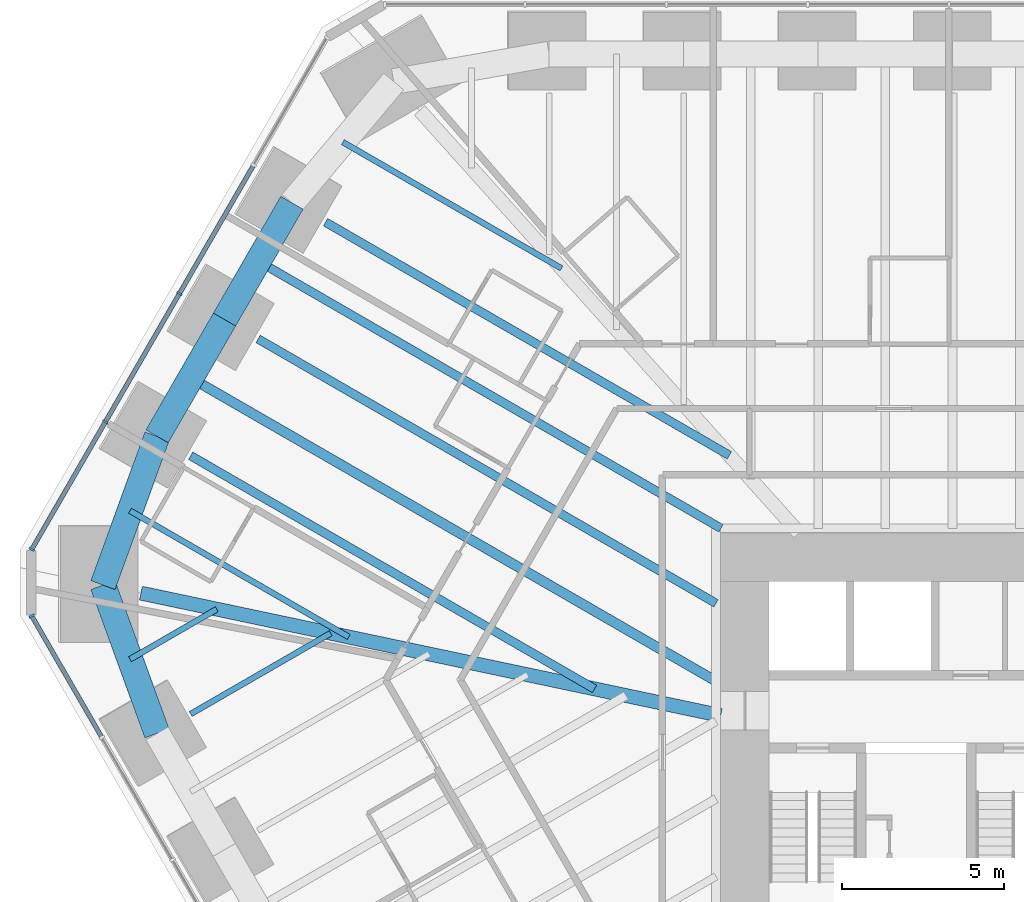
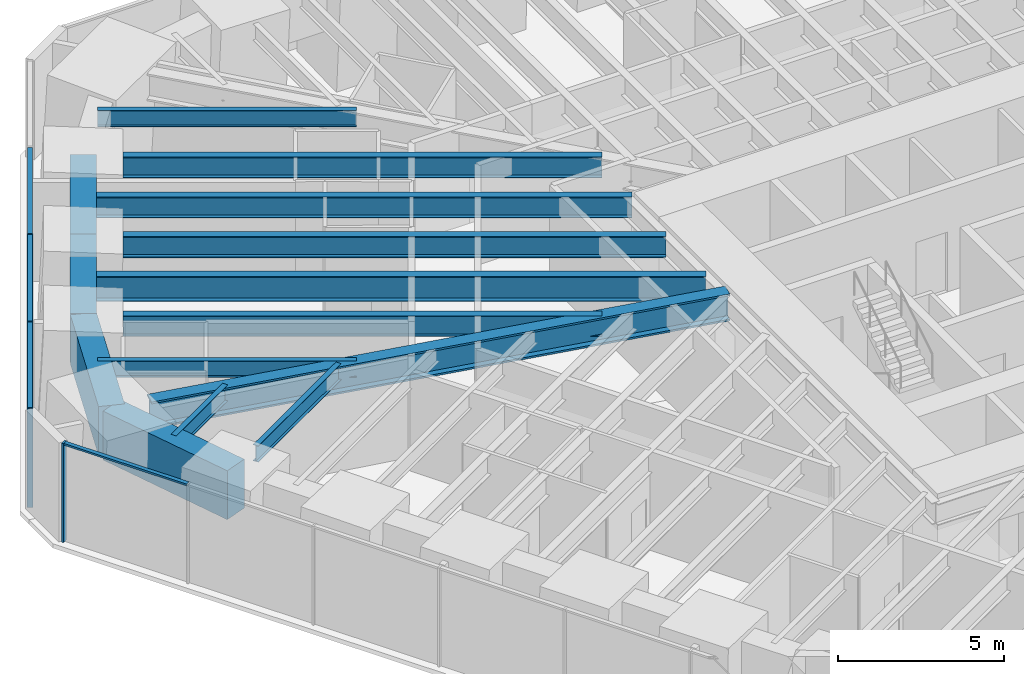
# One storey, part 7 of 17: 14 beams, 8 members, 2 elements without a shape of their own.
"""IFC4 building model written with IfcOpenShell, lengths in metres."""

from ifc_helpers import new_model, si_unit, direction, frame, origin, origin_2d, place, context, subcontext, project, spatial, rectangle, i_section, extrude, material, material_profile, profile_set, type_object, element, aggregate, save


model = new_model("IFC4")

# Units and contexts
model_context = context("Model", 3, precision=1e-05, world=origin(), true_north=direction((0.0, 1.0)))
body_context = subcontext(model_context, "Body", "Model", "MODEL_VIEW")
ifc_project = project(units=[si_unit("LENGTHUNIT", "METRE"), si_unit("AREAUNIT", "SQUARE_METRE"), si_unit("VOLUMEUNIT", "CUBIC_METRE"), si_unit("PLANEANGLEUNIT", "RADIAN"), si_unit("MASSUNIT", "GRAM", prefix="KILO")], contexts=[model_context])

# Site, building, storey
site_placement = place(None, origin())
site = spatial("IfcSite", under=ifc_project, at=site_placement, CompositionType="ELEMENT")
building_placement = place(site_placement, origin())
building = spatial("IfcBuilding", under=site, at=building_placement, Name="Sandreach Pilgrim Tower", CompositionType="ELEMENT")
storey_placement = place(building_placement, frame((0.0, 0.0, 61.0)))
storey = spatial("IfcBuildingStorey", under=building, at=storey_placement, Name="L14", CompositionType="ELEMENT", Elevation=61.0)

# Curtain wall, member
ifc_material_1 = material(Name="Aluminium framed curtain wall", Category="aluminium")
curtain_wall_type = type_object("IfcCurtainWallType", Name="Hostel tower curtain wall", PredefinedType="NOTDEFINED", material=ifc_material_1)
curtain_wall_1_placement = place(storey_placement, origin())
curtain_wall_1 = element("IfcCurtainWall", 1, at=curtain_wall_1_placement, inside=storey, type_object=curtain_wall_type, Name="CW-1 L14 SW", PredefinedType="NOTDEFINED")
ifc_material_2 = material(Name="Aluminium extrusion", Category="aluminium")
ifc_material_profile_1 = material_profile(ifc_material_2, rectangle(XDim=0.06494140625, YDim=0.179931640625, at=origin_2d()), Name="CW-1M 65X180")
ifc_profile_set_1 = profile_set([ifc_material_profile_1], Name="Aluminium extrusion")
member_type_1 = type_object("IfcMemberType", Name="CW-1 mullion", PredefinedType="MULLION", material=ifc_profile_set_1)
member_1_placement = place(storey_placement, frame((-30.56005859375, 5.033935546875, 0.0), z_axis=(0.0, 0.0, 1.0), x_axis=(-0.5, 0.866025403784, 0.0)))
member_1 = element("IfcMember", 2, at=member_1_placement, type_object=member_type_1, Name="CW-1 mullion 10", PredefinedType="MULLION", context=body_context, shape_type="SweptSolid", body=[
    extrude(rectangle(XDim=0.06494140625, YDim=0.179931640625, at=origin_2d()), origin(), (0.0, 0.0, 1.0), 3.639892578125),
])

# Curtain wall, members
curtain_wall_2_placement = place(storey_placement, origin())
curtain_wall_2 = element("IfcCurtainWall", 3, at=curtain_wall_2_placement, inside=storey, type_object=curtain_wall_type, Name="CW-1 L14 NW", PredefinedType="NOTDEFINED")
member_2_placement = place(storey_placement, frame((-30.56005859375, 7.09033203125, 0.0), z_axis=(0.0, 0.0, 1.0), x_axis=(0.5, 0.866025403784, 0.0)))
member_2 = element("IfcMember", 4, at=member_2_placement, type_object=member_type_1, Name="CW-1 mullion 1", PredefinedType="MULLION", context=body_context, shape_type="SweptSolid", body=[
    extrude(rectangle(XDim=0.06494140625, YDim=0.179931640625, at=origin_2d()), origin(), (0.0, 0.0, 1.0), 3.639892578125),
])
member_3_placement = place(storey_placement, frame((-28.283203125, 11.03369140625, 0.0), z_axis=(0.0, 0.0, 1.0), x_axis=(0.5, 0.866025403784, 0.0)))
member_3 = element("IfcMember", 5, at=member_3_placement, type_object=member_type_1, Name="CW-1 mullion 2", PredefinedType="MULLION", context=body_context, shape_type="SweptSolid", body=[
    extrude(rectangle(XDim=0.06494140625, YDim=0.179931640625, at=origin_2d()), origin(), (0.0, 0.0, 1.0), 3.639892578125),
])
member_4_placement = place(storey_placement, frame((-25.990234375, 15.00537109375, 0.0), z_axis=(0.0, 0.0, 1.0), x_axis=(0.5, 0.866025403784, 0.0)))
member_4 = element("IfcMember", 6, at=member_4_placement, type_object=member_type_1, Name="CW-1 mullion 3", PredefinedType="MULLION", context=body_context, shape_type="SweptSolid", body=[
    extrude(rectangle(XDim=0.06494140625, YDim=0.179931640625, at=origin_2d()), origin(), (0.0, 0.0, 1.0), 3.639892578125),
])

# Member
ifc_material_3 = material(Name="Aluminium extrusion", Category="aluminium")
ifc_material_profile_2 = material_profile(ifc_material_3, rectangle(XDim=0.139892578125, YDim=0.070068359375, at=origin_2d()), Name="CW-1T 140X70")
ifc_profile_set_2 = profile_set([ifc_material_profile_2], Name="Aluminium extrusion")
member_type_2 = type_object("IfcMemberType", Name="CW-1 transom", PredefinedType="USERDEFINED", material=ifc_profile_set_2)
member_5_placement = place(storey_placement, frame((-28.40673828125, 1.304443359375, 3.60498046875), z_axis=(-0.499991113271, 0.866030534479, 0.0), x_axis=(-0.866030534479, -0.499991113271, 0.0)))
member_5 = element("IfcMember", 7, at=member_5_placement, type_object=member_type_2, Name="CW-1 head transom 9", ObjectType="TRANSOM", PredefinedType="USERDEFINED", context=body_context, shape_type="SweptSolid", body=[
    extrude(rectangle(XDim=0.139892578125, YDim=0.070068359375, at=origin_2d()), origin(), (0.0, 0.0, 1.0), 4.27392578125),
])

aggregate(curtain_wall_1, [member_1, member_5])

member_6_placement = place(storey_placement, frame((-30.543701171875, 7.118408203125, 3.60498046875), z_axis=(0.499976706761, 0.866038851724, 0.0), x_axis=(-0.866038851724, 0.499976706761, 0.0)))
member_6 = element("IfcMember", 8, at=member_6_placement, type_object=member_type_2, Name="CW-1 head transom 1", ObjectType="TRANSOM", PredefinedType="USERDEFINED", context=body_context, shape_type="SweptSolid", body=[
    extrude(rectangle(XDim=0.139892578125, YDim=0.070068359375, at=origin_2d()), origin(), (0.0, 0.0, 1.0), 4.488525390625),
])

member_7_placement = place(storey_placement, frame((-28.266845703125, 11.06201171875, 3.60498046875), z_axis=(0.500001366228, 0.866024614991, 0.0), x_axis=(-0.866024614991, 0.500001366228, 0.0)))
member_7 = element("IfcMember", 9, at=member_7_placement, type_object=member_type_2, Name="CW-1 head transom 2", ObjectType="TRANSOM", PredefinedType="USERDEFINED", context=body_context, shape_type="SweptSolid", body=[
    extrude(rectangle(XDim=0.139892578125, YDim=0.070068359375, at=origin_2d()), origin(), (0.0, 0.0, 1.0), 4.52099609375),
])

member_8_placement = place(storey_placement, frame((-25.973876953125, 15.03369140625, 3.60498046875), z_axis=(0.500001366228, 0.866024614991, 0.0), x_axis=(-0.866024614991, 0.500001366228, 0.0)))
member_8 = element("IfcMember", 10, at=member_8_placement, type_object=member_type_2, Name="CW-1 head transom 3", ObjectType="TRANSOM", PredefinedType="USERDEFINED", context=body_context, shape_type="SweptSolid", body=[
    extrude(rectangle(XDim=0.139892578125, YDim=0.070068359375, at=origin_2d()), origin(), (0.0, 0.0, 1.0), 4.52099609375),
])

aggregate(curtain_wall_2, [member_2, member_3, member_4, member_6, member_7, member_8])

# Beams
ifc_material_4 = material(Name="Steel ASTM A992 Grade 50", Category="steel")
ifc_material_profile_3 = material_profile(ifc_material_4, i_section(OverallWidth=0.434326171875, OverallDepth=0.998291015625, WebThickness=0.0380859375, FlangeThickness=0.068115234375, at=origin_2d()), Name="W36X487")
ifc_profile_set_3 = profile_set([ifc_material_profile_3], Name="Steel ASTM A992 Grade 50")
beam_type_1 = type_object("IfcBeamType", Name="Corner girder W36X487", PredefinedType="BEAM", material=ifc_profile_set_3)
beam_1_placement = place(storey_placement, frame((-27.182373046875, 5.739013671875, 3.140869140625), z_axis=(0.978429767066, -0.206579744696, 0.0), x_axis=(0.206579744696, 0.978429767066, 0.0)))
element("IfcBeam", 11, at=beam_1_placement, inside=storey, type_object=beam_type_1, Name="BM L14 CG35", PredefinedType="BEAM", context=body_context, shape_type="SweptSolid", body=[
    extrude(i_section(OverallWidth=0.434326171875, OverallDepth=0.998291015625, WebThickness=0.0380859375, FlangeThickness=0.068115234375, at=origin_2d()), origin(), (0.0, 0.0, 1.0), 18.32763671875),
])
ifc_material_5 = material(Name="Steel ASTM A992 Grade 50", Category="steel")
ifc_material_profile_4 = material_profile(ifc_material_5, i_section(OverallWidth=0.1787109375, OverallDepth=0.60205078125, WebThickness=0.010986328125, FlangeThickness=0.014892578125, at=origin_2d()), Name="W24X62")
ifc_profile_set_4 = profile_set([ifc_material_profile_4], Name="Steel ASTM A992 Grade 50")
beam_type_2 = type_object("IfcBeamType", Name="Floor beam W24X62", PredefinedType="BEAM", material=ifc_profile_set_4)
beam_2_placement = place(storey_placement, frame((-25.64453125, 1.998779296875, 3.339111328125), z_axis=(0.866023836113, 0.500002715276, 0.0), x_axis=(-0.500002715276, 0.866023836113, 0.0)))
element("IfcBeam", 12, at=beam_2_placement, inside=storey, type_object=beam_type_2, Name="BM L14 F34", PredefinedType="BEAM", context=body_context, shape_type="SweptSolid", body=[
    extrude(i_section(OverallWidth=0.1787109375, OverallDepth=0.60205078125, WebThickness=0.010986328125, FlangeThickness=0.014892578125, at=origin_2d()), origin(), (0.0, 0.0, 1.0), 5.001953125),
])
beam_3_placement = place(storey_placement, frame((-27.520263671875, 3.69287109375, 3.339111328125), z_axis=(0.86602039108, 0.500008682159, 0.0), x_axis=(-0.500008682159, 0.86602039108, 0.0)))
element("IfcBeam", 13, at=beam_3_placement, inside=storey, type_object=beam_type_2, Name="BM L14 FM34", PredefinedType="BEAM", context=body_context, shape_type="SweptSolid", body=[
    extrude(i_section(OverallWidth=0.1787109375, OverallDepth=0.60205078125, WebThickness=0.010986328125, FlangeThickness=0.014892578125, at=origin_2d()), origin(), (0.0, 0.0, 1.0), 3.10107421875),
])
beam_4_placement = place(storey_placement, frame((-27.51953125, 8.287841796875, 3.339111328125), z_axis=(0.866024771944, -0.500001094379, 0.0), x_axis=(0.500001094379, 0.866024771944, 0.0)))
element("IfcBeam", 14, at=beam_4_placement, inside=storey, type_object=beam_type_2, Name="BM L14 FM35", PredefinedType="BEAM", context=body_context, shape_type="SweptSolid", body=[
    extrude(i_section(OverallWidth=0.1787109375, OverallDepth=0.60205078125, WebThickness=0.010986328125, FlangeThickness=0.014892578125, at=origin_2d()), origin(), (0.0, 0.0, 1.0), 7.81201171875),
])
beam_5_placement = place(storey_placement, frame((-20.937255859375, 19.6884765625, 3.339111328125), z_axis=(0.86603830438, -0.499977654847, 0.0), x_axis=(0.499977654847, 0.86603830438, 0.0)))
element("IfcBeam", 15, at=beam_5_placement, inside=storey, type_object=beam_type_2, Name="BM L14 FM38", PredefinedType="BEAM", context=body_context, shape_type="SweptSolid", body=[
    extrude(i_section(OverallWidth=0.1787109375, OverallDepth=0.60205078125, WebThickness=0.010986328125, FlangeThickness=0.014892578125, at=origin_2d()), origin(), (0.0, 0.0, 1.0), 7.811767578125),
])
ifc_material_6 = material(Name="Steel ASTM A992 Grade 50", Category="steel")
ifc_material_profile_5 = material_profile(ifc_material_6, i_section(OverallWidth=0.2666015625, OverallDepth=0.761962890625, WebThickness=0.014404296875, FlangeThickness=0.021484375, at=origin_2d()), Name="W30X116")
ifc_profile_set_5 = profile_set([ifc_material_profile_5], Name="Steel ASTM A992 Grade 50")
beam_type_3 = type_object("IfcBeamType", Name="Floor beam W30X116", PredefinedType="BEAM", material=ifc_profile_set_5)
beam_6_placement = place(storey_placement, frame((-25.64306640625, 9.98876953125, 3.259033203125), z_axis=(0.866019001848, -0.500011088314, 0.0), x_axis=(0.500011088314, 0.866019001848, 0.0)))
element("IfcBeam", 16, at=beam_6_placement, inside=storey, type_object=beam_type_3, Name="BM L14 F36", PredefinedType="BEAM", context=body_context, shape_type="SweptSolid", body=[
    extrude(i_section(OverallWidth=0.2666015625, OverallDepth=0.761962890625, WebThickness=0.014404296875, FlangeThickness=0.021484375, at=origin_2d()), origin(), (0.0, 0.0, 1.0), 14.424072265625),
])
beam_7_placement = place(storey_placement, frame((-21.471923828125, 17.213134765625, 3.259033203125), z_axis=(0.866026331101, -0.499998393838, 0.0), x_axis=(0.499998393838, 0.866026331101, 0.0)))
element("IfcBeam", 17, at=beam_7_placement, inside=storey, type_object=beam_type_3, Name="BM L14 F38", PredefinedType="BEAM", context=body_context, shape_type="SweptSolid", body=[
    extrude(i_section(OverallWidth=0.2666015625, OverallDepth=0.761962890625, WebThickness=0.014404296875, FlangeThickness=0.021484375, at=origin_2d()), origin(), (0.0, 0.0, 1.0), 14.423828125),
])
ifc_material_7 = material(Name="Steel ASTM A992 Grade 50", Category="steel")
ifc_material_profile_6 = material_profile(ifc_material_7, i_section(OverallWidth=0.2666015625, OverallDepth=0.77978515625, WebThickness=0.0166015625, FlangeThickness=0.030029296875, at=origin_2d()), Name="W30X148")
ifc_profile_set_6 = profile_set([ifc_material_profile_6], Name="Steel ASTM A992 Grade 50")
beam_type_4 = type_object("IfcBeamType", Name="Floor beam W30X148", PredefinedType="BEAM", material=ifc_profile_set_6)
beam_8_placement = place(storey_placement, frame((-23.5576171875, 13.600830078125, 3.25), z_axis=(0.866032711316, -0.499987342771, 0.0), x_axis=(0.499987342771, 0.866032711316, 0.0)))
element("IfcBeam", 18, at=beam_8_placement, inside=storey, type_object=beam_type_4, Name="BM L14 F37", PredefinedType="BEAM", context=body_context, shape_type="SweptSolid", body=[
    extrude(i_section(OverallWidth=0.2666015625, OverallDepth=0.77978515625, WebThickness=0.0166015625, FlangeThickness=0.030029296875, at=origin_2d()), origin(), (0.0, 0.0, 1.0), 16.35546875),
])
beam_9_placement = place(storey_placement, frame((-23.553955078125, 16.007080078125, 3.25), z_axis=(0.866027413725, -0.499996518665, 0.0), x_axis=(0.499996518665, 0.866027413725, 0.0)))
element("IfcBeam", 19, at=beam_9_placement, inside=storey, type_object=beam_type_4, Name="BM L14 FM37", PredefinedType="BEAM", context=body_context, shape_type="SweptSolid", body=[
    extrude(i_section(OverallWidth=0.2666015625, OverallDepth=0.77978515625, WebThickness=0.0166015625, FlangeThickness=0.030029296875, at=origin_2d()), origin(), (0.0, 0.0, 1.0), 16.52734375),
])
ifc_material_8 = material(Name="Steel ASTM A992 Grade 50", Category="steel")
ifc_material_profile_7 = material_profile(ifc_material_8, i_section(OverallWidth=0.3046875, OverallDepth=0.914306640625, WebThickness=0.0166015625, FlangeThickness=0.02587890625, at=origin_2d()), Name="W36X160")
ifc_profile_set_7 = profile_set([ifc_material_profile_7], Name="Steel ASTM A992 Grade 50")
beam_type_5 = type_object("IfcBeamType", Name="Floor beam W36X160", PredefinedType="BEAM", material=ifc_profile_set_7)
beam_10_placement = place(storey_placement, frame((-25.639404296875, 12.394775390625, 3.182861328125), z_axis=(0.86602651008, -0.499998083836, 0.0), x_axis=(0.499998083836, 0.86602651008, 0.0)))
element("IfcBeam", 20, at=beam_10_placement, inside=storey, type_object=beam_type_5, Name="BM L14 FM36", PredefinedType="BEAM", context=body_context, shape_type="SweptSolid", body=[
    extrude(i_section(OverallWidth=0.3046875, OverallDepth=0.914306640625, WebThickness=0.0166015625, FlangeThickness=0.02587890625, at=origin_2d()), origin(), (0.0, 0.0, 1.0), 18.75927734375),
])
ifc_material_9 = material(Name="Concrete 10000 psi", Category="concrete")
ifc_material_profile_8 = material_profile(ifc_material_9, rectangle(XDim=0.800048828125, YDim=1.800048828125, at=origin_2d()), Name="RC800X1800")
ifc_profile_set_8 = profile_set([ifc_material_profile_8], Name="Concrete 10000 psi")
beam_type_6 = type_object("IfcBeamType", Name="Spandrel beam RC800X1800", PredefinedType="SPANDREL", material=ifc_profile_set_8)
beam_11_placement = place(storey_placement, frame((-26.683837890625, 1.39892578125, 2.739990234375), z_axis=(-0.342545730925, 0.939501156053, 0.0), x_axis=(-0.939501156053, -0.342545730925, 0.0)))
element("IfcBeam", 21, at=beam_11_placement, inside=storey, type_object=beam_type_6, Name="BM L14 SP34", PredefinedType="SPANDREL", context=body_context, shape_type="SweptSolid", body=[
    extrude(rectangle(XDim=0.800048828125, YDim=1.800048828125, at=origin_2d()), origin(), (0.0, 0.0, 1.0), 4.883544921875),
])
beam_12_placement = place(storey_placement, frame((-28.356689453125, 5.987060546875, 2.739990234375), z_axis=(0.341927204152, 0.939726442674, 0.0), x_axis=(-0.939726442674, 0.341927204152, 0.0)))
element("IfcBeam", 22, at=beam_12_placement, inside=storey, type_object=beam_type_6, Name="BM L14 SP35", PredefinedType="SPANDREL", context=body_context, shape_type="SweptSolid", body=[
    extrude(rectangle(XDim=0.800048828125, YDim=1.800048828125, at=origin_2d()), origin(), (0.0, 0.0, 1.0), 4.896728515625),
])
for number, where, z_axis, x_axis, name in (
    (23, (-26.682373046875, 10.588623046875, 2.739990234375), (0.500023064377, 0.86601208715, 0.0), (-0.86601208715, 0.500023064377, 0.0), "BM L14 SP36"),
    (24, (-24.5966796875, 14.200927734375, 2.739990234375), (0.499979166188, 0.866037431857, 0.0), (-0.866037431857, 0.499979166188, 0.0), "BM L14 SP37"),
):
    element("IfcBeam", number, at=place(storey_placement, frame(where, z_axis=z_axis, x_axis=x_axis)), inside=storey, type_object=beam_type_6, Name=name, PredefinedType="SPANDREL", context=body_context, shape_type="SweptSolid", body=[
        extrude(rectangle(XDim=0.800048828125, YDim=1.800048828125, at=origin_2d()), origin(), (0.0, 0.0, 1.0), 4.171142578125),
    ])

save(model, "model.ifc")
